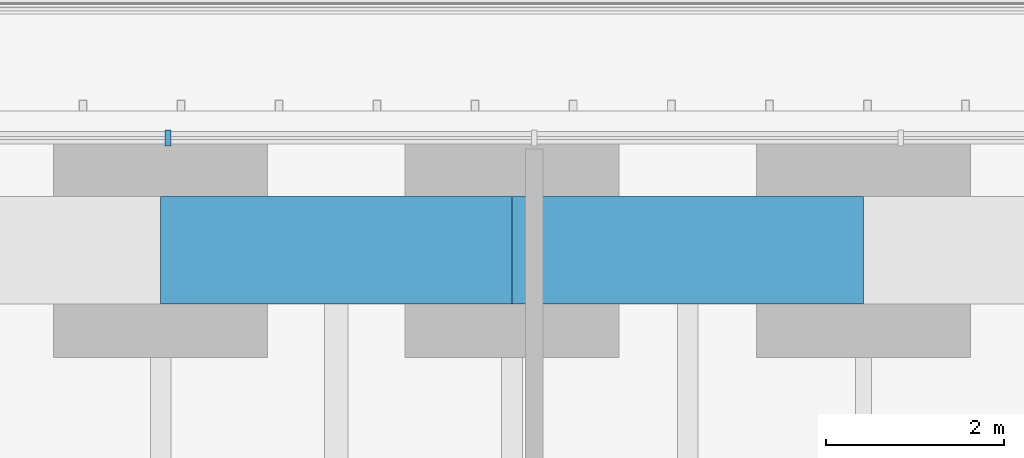
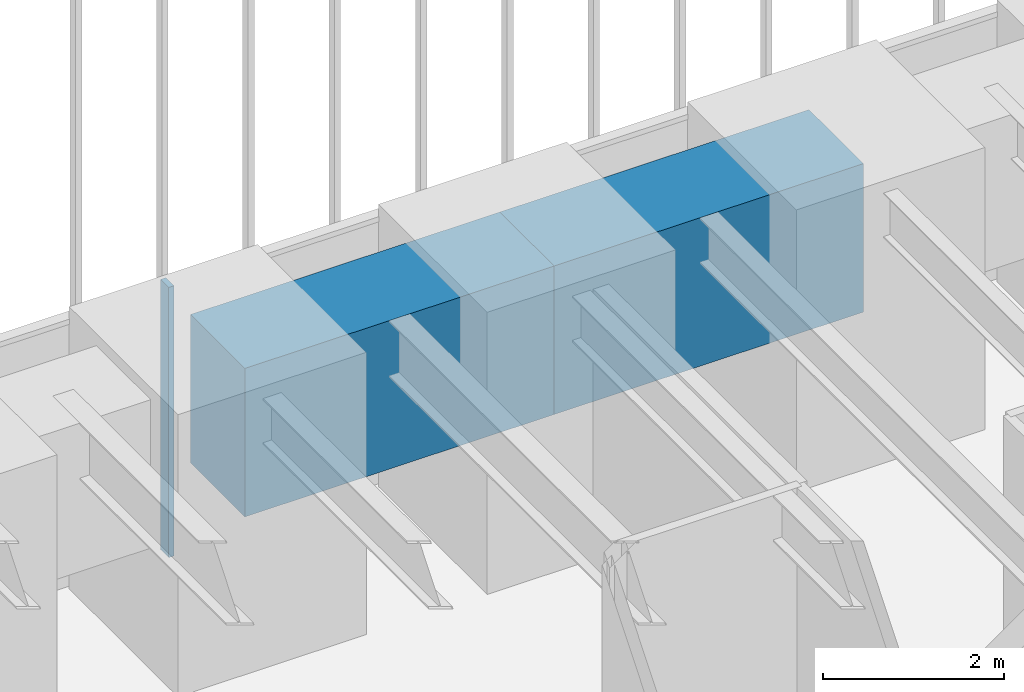
# One storey, part 197 of 238: 2 beams, 1 member, 1 element without a shape of its own.
"""IFC4 building model written with IfcOpenShell, lengths in metres."""

from ifc_helpers import new_model, si_unit, direction, frame, origin, origin_2d, place, context, subcontext, project, spatial, rectangle, extrude, material, material_profile, profile_set, type_object, element, aggregate, save


model = new_model("IFC4")

# Units and contexts
model_context = context("Model", 3, precision=1e-05, world=origin(), true_north=direction((0.0, 1.0)))
body_context = subcontext(model_context, "Body", "Model", "MODEL_VIEW")
ifc_project = project(units=[si_unit("LENGTHUNIT", "METRE"), si_unit("AREAUNIT", "SQUARE_METRE"), si_unit("VOLUMEUNIT", "CUBIC_METRE"), si_unit("PLANEANGLEUNIT", "RADIAN"), si_unit("MASSUNIT", "GRAM", prefix="KILO")], contexts=[model_context])

# Site, building, storey
site_placement = place(None, origin())
site = spatial("IfcSite", under=ifc_project, at=site_placement, CompositionType="ELEMENT")
building_placement = place(site_placement, origin())
building = spatial("IfcBuilding", under=site, at=building_placement, Name="Sandreach Pilgrim Tower", CompositionType="ELEMENT")
storey_placement = place(building_placement, frame((0.0, 0.0, 96.800048828125)))
storey = spatial("IfcBuildingStorey", under=building, at=storey_placement, Name="L23", CompositionType="ELEMENT", Elevation=96.800048828125)

# Curtain wall, member
ifc_material_1 = material(Name="Aluminium framed curtain wall", Category="aluminium")
curtain_wall_type = type_object("IfcCurtainWallType", Name="Hotel tower curtain wall", PredefinedType="NOTDEFINED", material=ifc_material_1)
curtain_wall_placement = place(storey_placement, origin())
curtain_wall = element("IfcCurtainWall", 1, at=curtain_wall_placement, inside=storey, type_object=curtain_wall_type, Name="CW-2 L23 N", PredefinedType="NOTDEFINED")
ifc_material_2 = material(Name="Aluminium extrusion", Category="aluminium")
ifc_material_profile_1 = material_profile(ifc_material_2, rectangle(XDim=0.06494140625, YDim=0.179931640625, at=origin_2d()), Name="CW-2M 65X180")
ifc_profile_set_1 = profile_set([ifc_material_profile_1], Name="Aluminium extrusion")
member_type = type_object("IfcMemberType", Name="CW-2 mullion", PredefinedType="MULLION", material=ifc_profile_set_1)
member_placement = place(storey_placement, frame((2.053466796875, 22.493896484375, 0.0), z_axis=(0.0, 0.0, 1.0), x_axis=(1.0, 0.0, 0.0)))
member = element("IfcMember", 2, at=member_placement, type_object=member_type, Name="CW-2 mullion 6", PredefinedType="MULLION", context=body_context, shape_type="SweptSolid", body=[
    extrude(rectangle(XDim=0.06494140625, YDim=0.179931640625, at=origin_2d()), origin(), (0.0, 0.0, 1.0), 3.639892578125),
])
aggregate(curtain_wall, [member])

# Beams
ifc_material_3 = material(Name="Concrete 10000 psi", Category="concrete")
ifc_material_profile_2 = material_profile(ifc_material_3, rectangle(XDim=1.199951171875, YDim=2.0, at=origin_2d()), Name="RC1200X2000")
ifc_profile_set_2 = profile_set([ifc_material_profile_2], Name="Concrete 10000 psi")
beam_type = type_object("IfcBeamType", Name="Spandrel beam RC1200X2000", PredefinedType="SPANDREL", material=ifc_profile_set_2)
for number, where, z_axis, x_axis, name in (
    (3, (1.969970703125, 21.23388671875, 2.639892578125), (1.0, 0.0, 0.0), (0.0, 1.0, 0.0), "BM L23 SP05"),
    (4, (5.909912109375, 21.23388671875, 2.639892578125), (1.0, 0.0, 0.0), (0.0, 1.0, 0.0), "BM L23 SP06"),
):
    element("IfcBeam", number, at=place(storey_placement, frame(where, z_axis=z_axis, x_axis=x_axis)), inside=storey, type_object=beam_type, Name=name, PredefinedType="SPANDREL", context=body_context, shape_type="SweptSolid", body=[
        extrude(rectangle(XDim=1.199951171875, YDim=2.0, at=origin_2d()), origin(), (0.0, 0.0, 1.0), 3.93994140625),
    ])

save(model, "model.ifc")
